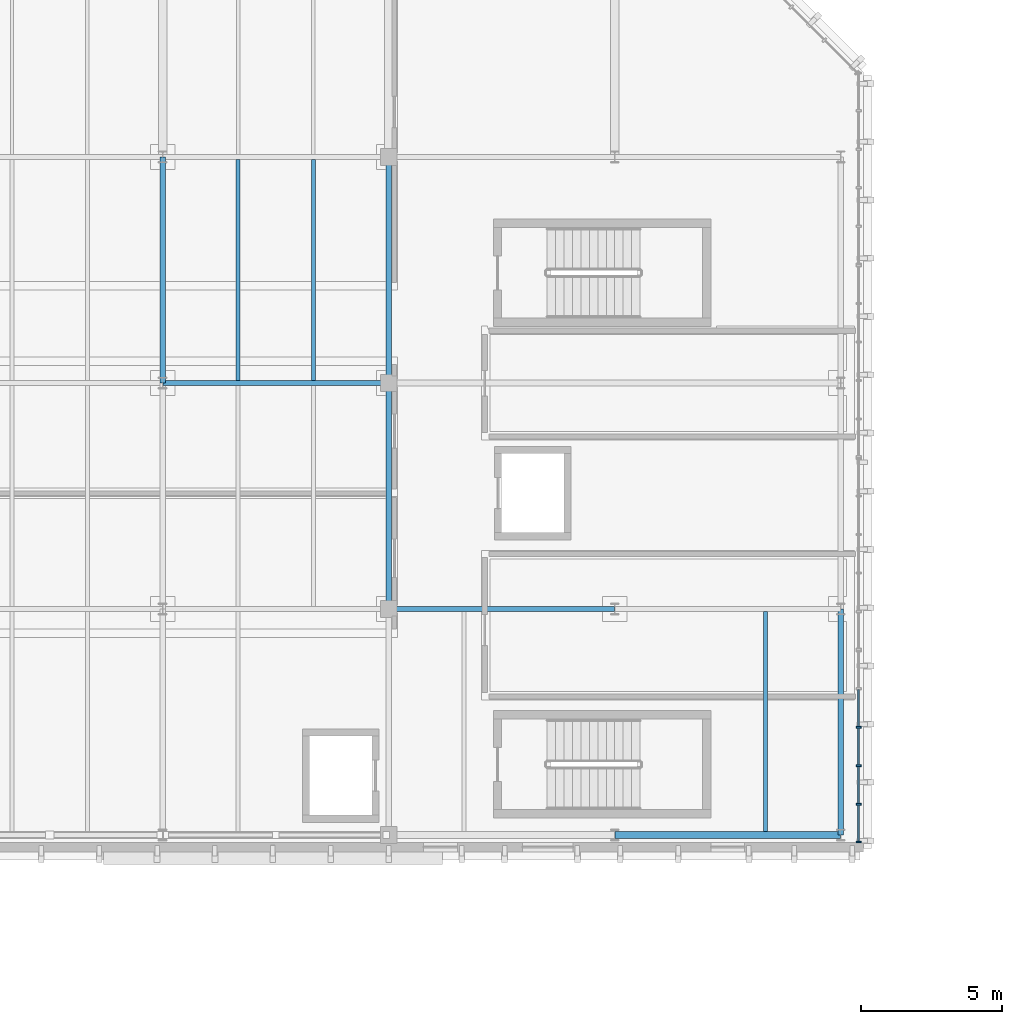
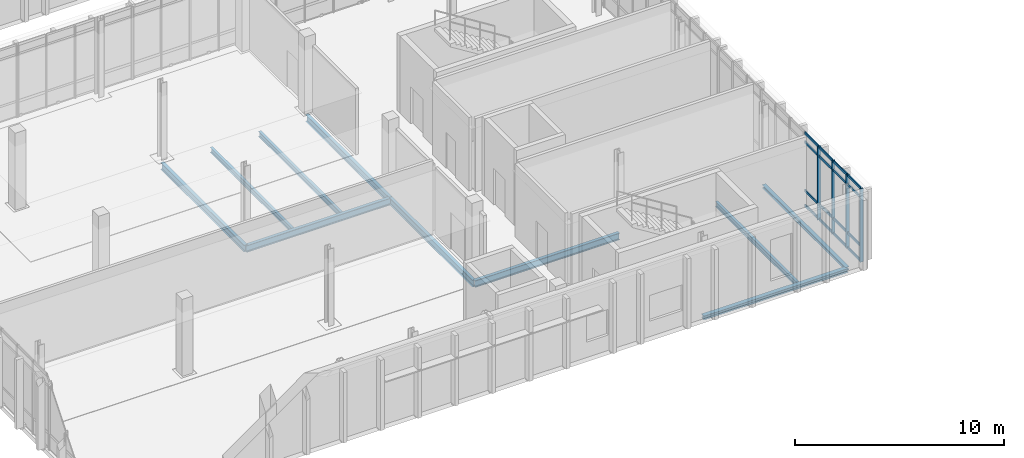
# One storey, part 9 of 62: 20 members, 10 beams, 1 element without a shape of its own.
"""IFC4 building model written with IfcOpenShell, lengths in metres."""

from ifc_helpers import new_model, si_unit, direction, frame, origin, origin_2d, place, context, subcontext, project, spatial, rectangle, i_section, extrude, material, material_profile, profile_set, type_object, element, aggregate, save


model = new_model("IFC4")

# Units and contexts
model_context = context("Model", 3, precision=1e-05, world=origin(), true_north=direction((0.0, 1.0)))
body_context = subcontext(model_context, "Body", "Model", "MODEL_VIEW")
ifc_project = project(units=[si_unit("LENGTHUNIT", "METRE"), si_unit("AREAUNIT", "SQUARE_METRE"), si_unit("VOLUMEUNIT", "CUBIC_METRE"), si_unit("PLANEANGLEUNIT", "RADIAN"), si_unit("MASSUNIT", "GRAM", prefix="KILO")], contexts=[model_context])

# Site, building, storey
site_placement = place(None, origin())
site = spatial("IfcSite", under=ifc_project, at=site_placement, CompositionType="ELEMENT")
building_placement = place(site_placement, origin())
building = spatial("IfcBuilding", under=site, at=building_placement, Name="Cymarion Research Institute", CompositionType="ELEMENT")
storey_placement = place(building_placement, frame((0.0, 0.0, 18.300048828125)))
storey = spatial("IfcBuildingStorey", under=building, at=storey_placement, Name="L04", CompositionType="ELEMENT", Elevation=18.300048828125)

# Curtain wall, members
ifc_material_1 = material(Name="Anodised aluminium unitised curtain wall with Low-E glazing", Category="aluminium")
curtain_wall_type = type_object("IfcCurtainWallType", Name="UNITISED CURTAIN WALL CW40 6820X4280", PredefinedType="NOTDEFINED", material=ifc_material_1)
curtain_wall_placement = place(storey_placement, origin())
curtain_wall = element("IfcCurtainWall", 1, at=curtain_wall_placement, inside=storey, type_object=curtain_wall_type, Name="L04 V4 unitised curtain wall CW40 #177", PredefinedType="NOTDEFINED")
ifc_material_2 = material(Name="Anodised aluminium framing", Category="aluminium")
ifc_material_profile_1 = material_profile(ifc_material_2, rectangle(XDim=0.06005859375, YDim=0.179931640625, at=origin_2d()), Name="ALU MULLION 60x180")
ifc_profile_set_1 = profile_set([ifc_material_profile_1], Name="Anodised aluminium framing")
member_type_1 = type_object("IfcMemberType", Name="CURTAIN WALL MULLION ML01 60X180", PredefinedType="MULLION", material=ifc_profile_set_1)
member_1_placement = place(storey_placement, frame((47.22998046875, 47.251953125, 0.0), z_axis=(0.0, 0.0, 1.0), x_axis=(0.0, 1.0, 0.0)))
member_1 = element("IfcMember", 2, at=member_1_placement, type_object=member_type_1, Name="CW40 mullion 1", PredefinedType="MULLION", context=body_context, shape_type="SweptSolid", body=[
    extrude(rectangle(XDim=0.06005859375, YDim=0.179931640625, at=origin_2d()), origin(), (0.0, 0.0, 1.0), 4.280029296875),
])
member_2_placement = place(storey_placement, frame((47.22998046875, 48.5859375, 0.0), z_axis=(0.0, 0.0, 1.0), x_axis=(0.0, 1.0, 0.0)))
member_2 = element("IfcMember", 3, at=member_2_placement, type_object=member_type_1, Name="CW40 mullion 2", PredefinedType="MULLION", context=body_context, shape_type="SweptSolid", body=[
    extrude(rectangle(XDim=0.06005859375, YDim=0.179931640625, at=origin_2d()), origin(), (0.0, 0.0, 1.0), 4.280029296875),
])
member_3_placement = place(storey_placement, frame((47.22998046875, 49.94970703125, 0.0), z_axis=(0.0, 0.0, 1.0), x_axis=(0.0, 1.0, 0.0)))
member_3 = element("IfcMember", 4, at=member_3_placement, type_object=member_type_1, Name="CW40 mullion 3", PredefinedType="MULLION", context=body_context, shape_type="SweptSolid", body=[
    extrude(rectangle(XDim=0.06005859375, YDim=0.179931640625, at=origin_2d()), origin(), (0.0, 0.0, 1.0), 4.280029296875),
])
member_4_placement = place(storey_placement, frame((47.22998046875, 51.313720703125, 0.0), z_axis=(0.0, 0.0, 1.0), x_axis=(0.0, 1.0, 0.0)))
member_4 = element("IfcMember", 5, at=member_4_placement, type_object=member_type_1, Name="CW40 mullion 4", PredefinedType="MULLION", context=body_context, shape_type="SweptSolid", body=[
    extrude(rectangle(XDim=0.06005859375, YDim=0.179931640625, at=origin_2d()), origin(), (0.0, 0.0, 1.0), 4.280029296875),
])
ifc_material_profile_2 = material_profile(ifc_material_2, rectangle(XDim=0.06005859375, YDim=0.14990234375, at=origin_2d()), Name="ALU TRANSOM 60x150")
ifc_profile_set_2 = profile_set([ifc_material_profile_2], Name="Anodised aluminium framing")
member_type_2 = type_object("IfcMemberType", Name="CURTAIN WALL TRANSOM TR01 60X150", PredefinedType="USERDEFINED", material=ifc_profile_set_2)
member_5_placement = place(storey_placement, frame((47.22998046875, 47.281982421875, 0.030029296875), z_axis=(0.0, 1.0, 0.0), x_axis=(-1.0, 0.0, 0.0)))
member_5 = element("IfcMember", 6, at=member_5_placement, type_object=member_type_2, Name="CW40 transom 1.1", ObjectType="TRANSOM", PredefinedType="USERDEFINED", context=body_context, shape_type="SweptSolid", body=[
    extrude(rectangle(XDim=0.06005859375, YDim=0.14990234375, at=origin_2d()), origin(), (0.0, 0.0, 1.0), 1.27392578125),
])
member_6_placement = place(storey_placement, frame((47.22998046875, 47.281982421875, 0.89990234375), z_axis=(0.0, 1.0, 0.0), x_axis=(-1.0, 0.0, 0.0)))
member_6 = element("IfcMember", 7, at=member_6_placement, type_object=member_type_2, Name="CW40 transom 1.2", ObjectType="TRANSOM", PredefinedType="USERDEFINED", context=body_context, shape_type="SweptSolid", body=[
    extrude(rectangle(XDim=0.06005859375, YDim=0.14990234375, at=origin_2d()), origin(), (0.0, 0.0, 1.0), 1.27392578125),
])
member_7_placement = place(storey_placement, frame((47.22998046875, 47.281982421875, 3.72998046875), z_axis=(0.0, 1.0, 0.0), x_axis=(-1.0, 0.0, 0.0)))
member_7 = element("IfcMember", 8, at=member_7_placement, type_object=member_type_2, Name="CW40 transom 1.3", ObjectType="TRANSOM", PredefinedType="USERDEFINED", context=body_context, shape_type="SweptSolid", body=[
    extrude(rectangle(XDim=0.06005859375, YDim=0.14990234375, at=origin_2d()), origin(), (0.0, 0.0, 1.0), 1.27392578125),
])
member_8_placement = place(storey_placement, frame((47.22998046875, 47.281982421875, 4.25), z_axis=(0.0, 1.0, 0.0), x_axis=(-1.0, 0.0, 0.0)))
member_8 = element("IfcMember", 9, at=member_8_placement, type_object=member_type_2, Name="CW40 transom 1.4", ObjectType="TRANSOM", PredefinedType="USERDEFINED", context=body_context, shape_type="SweptSolid", body=[
    extrude(rectangle(XDim=0.06005859375, YDim=0.14990234375, at=origin_2d()), origin(), (0.0, 0.0, 1.0), 1.27392578125),
])
member_9_placement = place(storey_placement, frame((47.22998046875, 48.615966796875, 0.030029296875), z_axis=(0.0, 1.0, 0.0), x_axis=(-1.0, 0.0, 0.0)))
member_9 = element("IfcMember", 10, at=member_9_placement, type_object=member_type_2, Name="CW40 transom 2.1", ObjectType="TRANSOM", PredefinedType="USERDEFINED", context=body_context, shape_type="SweptSolid", body=[
    extrude(rectangle(XDim=0.06005859375, YDim=0.14990234375, at=origin_2d()), origin(), (0.0, 0.0, 1.0), 1.303955078125),
])
member_10_placement = place(storey_placement, frame((47.22998046875, 48.615966796875, 0.89990234375), z_axis=(0.0, 1.0, 0.0), x_axis=(-1.0, 0.0, 0.0)))
member_10 = element("IfcMember", 11, at=member_10_placement, type_object=member_type_2, Name="CW40 transom 2.2", ObjectType="TRANSOM", PredefinedType="USERDEFINED", context=body_context, shape_type="SweptSolid", body=[
    extrude(rectangle(XDim=0.06005859375, YDim=0.14990234375, at=origin_2d()), origin(), (0.0, 0.0, 1.0), 1.303955078125),
])
member_11_placement = place(storey_placement, frame((47.22998046875, 48.615966796875, 3.72998046875), z_axis=(0.0, 1.0, 0.0), x_axis=(-1.0, 0.0, 0.0)))
member_11 = element("IfcMember", 12, at=member_11_placement, type_object=member_type_2, Name="CW40 transom 2.3", ObjectType="TRANSOM", PredefinedType="USERDEFINED", context=body_context, shape_type="SweptSolid", body=[
    extrude(rectangle(XDim=0.06005859375, YDim=0.14990234375, at=origin_2d()), origin(), (0.0, 0.0, 1.0), 1.303955078125),
])
member_12_placement = place(storey_placement, frame((47.22998046875, 48.615966796875, 4.25), z_axis=(0.0, 1.0, 0.0), x_axis=(-1.0, 0.0, 0.0)))
member_12 = element("IfcMember", 13, at=member_12_placement, type_object=member_type_2, Name="CW40 transom 2.4", ObjectType="TRANSOM", PredefinedType="USERDEFINED", context=body_context, shape_type="SweptSolid", body=[
    extrude(rectangle(XDim=0.06005859375, YDim=0.14990234375, at=origin_2d()), origin(), (0.0, 0.0, 1.0), 1.303955078125),
])
member_13_placement = place(storey_placement, frame((47.22998046875, 49.979736328125, 0.030029296875), z_axis=(0.0, 1.0, 0.0), x_axis=(-1.0, 0.0, 0.0)))
member_13 = element("IfcMember", 14, at=member_13_placement, type_object=member_type_2, Name="CW40 transom 3.1", ObjectType="TRANSOM", PredefinedType="USERDEFINED", context=body_context, shape_type="SweptSolid", body=[
    extrude(rectangle(XDim=0.06005859375, YDim=0.14990234375, at=origin_2d()), origin(), (0.0, 0.0, 1.0), 1.303955078125),
])
member_14_placement = place(storey_placement, frame((47.22998046875, 49.979736328125, 0.89990234375), z_axis=(0.0, 1.0, 0.0), x_axis=(-1.0, 0.0, 0.0)))
member_14 = element("IfcMember", 15, at=member_14_placement, type_object=member_type_2, Name="CW40 transom 3.2", ObjectType="TRANSOM", PredefinedType="USERDEFINED", context=body_context, shape_type="SweptSolid", body=[
    extrude(rectangle(XDim=0.06005859375, YDim=0.14990234375, at=origin_2d()), origin(), (0.0, 0.0, 1.0), 1.303955078125),
])
member_15_placement = place(storey_placement, frame((47.22998046875, 49.979736328125, 3.72998046875), z_axis=(0.0, 1.0, 0.0), x_axis=(-1.0, 0.0, 0.0)))
member_15 = element("IfcMember", 16, at=member_15_placement, type_object=member_type_2, Name="CW40 transom 3.3", ObjectType="TRANSOM", PredefinedType="USERDEFINED", context=body_context, shape_type="SweptSolid", body=[
    extrude(rectangle(XDim=0.06005859375, YDim=0.14990234375, at=origin_2d()), origin(), (0.0, 0.0, 1.0), 1.303955078125),
])
member_16_placement = place(storey_placement, frame((47.22998046875, 49.979736328125, 4.25), z_axis=(0.0, 1.0, 0.0), x_axis=(-1.0, 0.0, 0.0)))
member_16 = element("IfcMember", 17, at=member_16_placement, type_object=member_type_2, Name="CW40 transom 3.4", ObjectType="TRANSOM", PredefinedType="USERDEFINED", context=body_context, shape_type="SweptSolid", body=[
    extrude(rectangle(XDim=0.06005859375, YDim=0.14990234375, at=origin_2d()), origin(), (0.0, 0.0, 1.0), 1.303955078125),
])
member_17_placement = place(storey_placement, frame((47.22998046875, 51.34375, 0.030029296875), z_axis=(0.0, 1.0, 0.0), x_axis=(-1.0, 0.0, 0.0)))
member_17 = element("IfcMember", 18, at=member_17_placement, type_object=member_type_2, Name="CW40 transom 4.1", ObjectType="TRANSOM", PredefinedType="USERDEFINED", context=body_context, shape_type="SweptSolid", body=[
    extrude(rectangle(XDim=0.06005859375, YDim=0.14990234375, at=origin_2d()), origin(), (0.0, 0.0, 1.0), 1.303955078125),
])
member_18_placement = place(storey_placement, frame((47.22998046875, 51.34375, 0.89990234375), z_axis=(0.0, 1.0, 0.0), x_axis=(-1.0, 0.0, 0.0)))
member_18 = element("IfcMember", 19, at=member_18_placement, type_object=member_type_2, Name="CW40 transom 4.2", ObjectType="TRANSOM", PredefinedType="USERDEFINED", context=body_context, shape_type="SweptSolid", body=[
    extrude(rectangle(XDim=0.06005859375, YDim=0.14990234375, at=origin_2d()), origin(), (0.0, 0.0, 1.0), 1.303955078125),
])
member_19_placement = place(storey_placement, frame((47.22998046875, 51.34375, 3.72998046875), z_axis=(0.0, 1.0, 0.0), x_axis=(-1.0, 0.0, 0.0)))
member_19 = element("IfcMember", 20, at=member_19_placement, type_object=member_type_2, Name="CW40 transom 4.3", ObjectType="TRANSOM", PredefinedType="USERDEFINED", context=body_context, shape_type="SweptSolid", body=[
    extrude(rectangle(XDim=0.06005859375, YDim=0.14990234375, at=origin_2d()), origin(), (0.0, 0.0, 1.0), 1.303955078125),
])
member_20_placement = place(storey_placement, frame((47.22998046875, 51.34375, 4.25), z_axis=(0.0, 1.0, 0.0), x_axis=(-1.0, 0.0, 0.0)))
member_20 = element("IfcMember", 21, at=member_20_placement, type_object=member_type_2, Name="CW40 transom 4.4", ObjectType="TRANSOM", PredefinedType="USERDEFINED", context=body_context, shape_type="SweptSolid", body=[
    extrude(rectangle(XDim=0.06005859375, YDim=0.14990234375, at=origin_2d()), origin(), (0.0, 0.0, 1.0), 1.303955078125),
])
aggregate(curtain_wall, [member_1, member_2, member_3, member_4, member_5, member_6, member_7, member_8, member_9, member_10, member_11, member_12, member_13, member_14, member_15, member_16, member_17, member_18, member_19, member_20])

# Beams
ifc_material_3 = material(Name="Steel S355", Category="steel")
ifc_material_profile_3 = material_profile(ifc_material_3, i_section(OverallWidth=0.179931640625, OverallDepth=0.39990234375, WebThickness=0.008544921875, FlangeThickness=0.013427734375, FilletRadius=0.02099609375, at=origin_2d()), Name="IPE 400")
ifc_profile_set_3 = profile_set([ifc_material_profile_3], Name="Steel S355")
beam_type_1 = type_object("IfcBeamType", Name="PRIMARY GIRDER BM05 IPE 400", PredefinedType="BEAM", material=ifc_profile_set_3)
for number, where, z_axis, x_axis, name in (
    (22, (30.60595703125, 55.5, -0.449951171875), (1.0, 0.0, 0.0), (0.0, 1.0, 0.0), "L04 V4 girder BM05 #1710"),
    (23, (22.60595703125, 63.5, -0.449951171875), (1.0, 0.0, 0.0), (0.0, 1.0, 0.0), "L04 V4 girder BM05 #1714"),
):
    element("IfcBeam", number, at=place(storey_placement, frame(where, z_axis=z_axis, x_axis=x_axis)), inside=storey, type_object=beam_type_1, Name=name, PredefinedType="BEAM", context=body_context, shape_type="SweptSolid", body=[
        extrude(i_section(OverallWidth=0.179931640625, OverallDepth=0.39990234375, WebThickness=0.008544921875, FlangeThickness=0.013427734375, FilletRadius=0.02099609375, at=origin_2d()), origin(), (0.0, 0.0, 1.0), 7.988037109375),
    ])
for number, where, z_axis, x_axis, name in (
    (24, (22.60009765625, 63.506103515625, -0.449951171875), (0.0, 1.0, 0.0), (-1.0, 0.0, 0.0), "L04 V4 girder BM05 #1737"),
    (25, (30.60009765625, 55.506103515625, -0.449951171875), (0.0, 1.0, 0.0), (-1.0, 0.0, 0.0), "L04 V4 girder BM05 #1740"),
    (26, (30.60009765625, 63.506103515625, -0.449951171875), (0.0, 1.0, 0.0), (-1.0, 0.0, 0.0), "L04 V4 girder BM05 #1741"),
):
    element("IfcBeam", number, at=place(storey_placement, frame(where, z_axis=z_axis, x_axis=x_axis)), inside=storey, type_object=beam_type_1, Name=name, PredefinedType="BEAM", context=body_context, shape_type="SweptSolid", body=[
        extrude(i_section(OverallWidth=0.179931640625, OverallDepth=0.39990234375, WebThickness=0.008544921875, FlangeThickness=0.013427734375, FilletRadius=0.02099609375, at=origin_2d()), origin(), (0.0, 0.0, 1.0), 7.98779296875),
    ])
ifc_material_profile_4 = material_profile(ifc_material_3, i_section(OverallWidth=0.14990234375, OverallDepth=0.300048828125, WebThickness=0.007080078125, FlangeThickness=0.0107421875, FilletRadius=0.014892578125, at=origin_2d()), Name="IPE 300")
ifc_profile_set_4 = profile_set([ifc_material_profile_4], Name="Steel S355")
beam_type_2 = type_object("IfcBeamType", Name="SECONDARY JOIST JS02 IPE 300", PredefinedType="JOIST", material=ifc_profile_set_4)
beam_1_placement = place(storey_placement, frame((43.933349609375, 47.6240234375, -0.400146484375), z_axis=(0.0, 1.0, 0.0), x_axis=(-1.0, 0.0, 0.0)))
element("IfcBeam", 27, at=beam_1_placement, inside=storey, type_object=beam_type_2, Name="L04 V4 secondary joist JS02 #1755", PredefinedType="JOIST", context=body_context, shape_type="SweptSolid", body=[
    extrude(i_section(OverallWidth=0.14990234375, OverallDepth=0.300048828125, WebThickness=0.007080078125, FlangeThickness=0.0107421875, FilletRadius=0.014892578125, at=origin_2d()), origin(), (0.0, 0.0, 1.0), 7.781982421875),
])
for number, where, z_axis, x_axis, name in (
    (28, (25.2666015625, 63.593994140625, -0.400146484375), (0.0, 1.0, 0.0), (-1.0, 0.0, 0.0), "L04 V4 secondary joist JS02 #1765"),
    (29, (27.933349609375, 63.593994140625, -0.400146484375), (0.0, 1.0, 0.0), (-1.0, 0.0, 0.0), "L04 V4 secondary joist JS02 #1766"),
):
    element("IfcBeam", number, at=place(storey_placement, frame(where, z_axis=z_axis, x_axis=x_axis)), inside=storey, type_object=beam_type_2, Name=name, PredefinedType="JOIST", context=body_context, shape_type="SweptSolid", body=[
        extrude(i_section(OverallWidth=0.14990234375, OverallDepth=0.300048828125, WebThickness=0.007080078125, FlangeThickness=0.0107421875, FilletRadius=0.014892578125, at=origin_2d()), origin(), (0.0, 0.0, 1.0), 7.81201171875),
    ])
ifc_material_profile_5 = material_profile(ifc_material_3, i_section(OverallWidth=0.239990234375, OverallDepth=0.22998046875, WebThickness=0.007568359375, FlangeThickness=0.011962890625, FilletRadius=0.02099609375, at=origin_2d()), Name="HEA 240")
ifc_profile_set_5 = profile_set([ifc_material_profile_5], Name="Steel S355")
beam_type_3 = type_object("IfcBeamType", Name="SPANDREL BEAM SPB03 HEA 240", PredefinedType="SPANDREL", material=ifc_profile_set_5)
beam_2_placement = place(storey_placement, frame((38.60595703125, 47.5, -0.364990234375), z_axis=(1.0, 0.0, 0.0), x_axis=(0.0, 1.0, 0.0)))
element("IfcBeam", 30, at=beam_2_placement, inside=storey, type_object=beam_type_3, Name="L04 V4 girder SPB03 #1706", PredefinedType="SPANDREL", context=body_context, shape_type="SweptSolid", body=[
    extrude(i_section(OverallWidth=0.239990234375, OverallDepth=0.22998046875, WebThickness=0.007568359375, FlangeThickness=0.011962890625, FilletRadius=0.02099609375, at=origin_2d()), origin(), (0.0, 0.0, 1.0), 7.988037109375),
])
ifc_material_profile_6 = material_profile(ifc_material_3, i_section(OverallWidth=0.199951171875, OverallDepth=0.18994140625, WebThickness=0.006591796875, FlangeThickness=0.010009765625, FilletRadius=0.01806640625, at=origin_2d()), Name="HEA 200")
ifc_profile_set_6 = profile_set([ifc_material_profile_6], Name="Steel S355")
beam_type_4 = type_object("IfcBeamType", Name="SPANDREL BEAM SPB04 HEA 200", PredefinedType="SPANDREL", material=ifc_profile_set_6)
beam_3_placement = place(storey_placement, frame((46.60009765625, 47.506103515625, -0.344970703125), z_axis=(0.0, 1.0, 0.0), x_axis=(-1.0, 0.0, 0.0)))
element("IfcBeam", 31, at=beam_3_placement, inside=storey, type_object=beam_type_4, Name="L04 V4 girder SPB04 #1746", PredefinedType="SPANDREL", context=body_context, shape_type="SweptSolid", body=[
    extrude(i_section(OverallWidth=0.199951171875, OverallDepth=0.18994140625, WebThickness=0.006591796875, FlangeThickness=0.010009765625, FilletRadius=0.01806640625, at=origin_2d()), origin(), (0.0, 0.0, 1.0), 7.98779296875),
])

save(model, "model.ifc")
